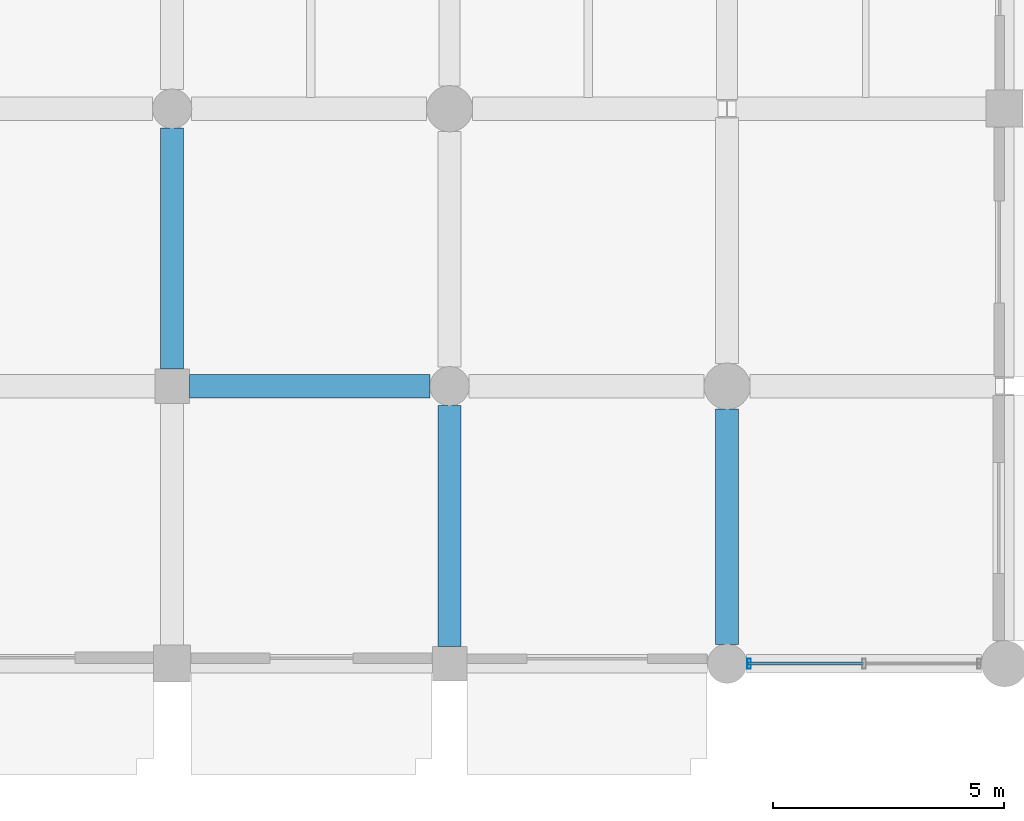
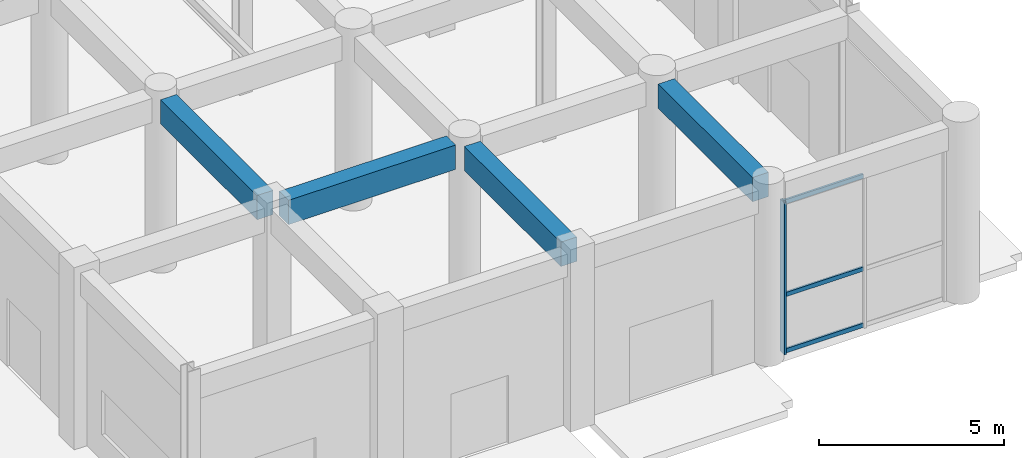
# One storey, part 53 of 106: 4 beams, 4 members, 1 element without a shape of its own.
"""IFC4 building model written with IfcOpenShell, lengths in metres."""

from ifc_helpers import new_model, si_unit, direction, frame, origin, origin_2d, place, context, subcontext, project, spatial, rectangle, hollow_rectangle, extrude, material, material_profile, profile_set, type_object, element, aggregate, save


model = new_model("IFC4")

# Units and contexts
model_context = context("Model", 3, precision=1e-05, world=origin(), true_north=direction((0.0, 1.0)))
body_context = subcontext(model_context, "Body", "Model", "MODEL_VIEW")
ifc_project = project(units=[si_unit("LENGTHUNIT", "METRE"), si_unit("AREAUNIT", "SQUARE_METRE"), si_unit("VOLUMEUNIT", "CUBIC_METRE"), si_unit("PLANEANGLEUNIT", "RADIAN"), si_unit("MASSUNIT", "GRAM", prefix="KILO"), si_unit("THERMODYNAMICTEMPERATUREUNIT", "KELVIN"), si_unit("POWERUNIT", "WATT")], contexts=[model_context])

# Site, building, storey
site_placement = place(None, origin())
site = spatial("IfcSite", under=ifc_project, at=site_placement, CompositionType="ELEMENT")
building_placement = place(site_placement, origin())
building = spatial("IfcBuilding", under=site, at=building_placement, Name="Phaisarnlok Congress Hotel", CompositionType="ELEMENT")
storey_placement = place(building_placement, origin())
storey = spatial("IfcBuildingStorey", under=building, at=storey_placement, Name="L00", CompositionType="ELEMENT", Elevation=0.0)

# Beams
ifc_material_1 = material(Name="Concrete C40/50", Category="concrete")
ifc_material_profile_1 = material_profile(ifc_material_1, rectangle(XDim=0.5, YDim=0.800048828125, at=origin_2d()), Name="RC 500x800")
ifc_profile_set_1 = profile_set([ifc_material_profile_1], Name="Concrete C40/50")
beam_type = type_object("IfcBeamType", Name="BM-RC-500x800", PredefinedType="BEAM", material=ifc_profile_set_1)
for number, where, z_axis, x_axis, name in (
    (1, (162.3701171875, 24.0, 5.360107421875), (1.0, 0.0, 0.0), (0.0, 1.0, 0.0), "Beam B-04"),
    (2, (162.0, 24.3701171875, 5.360107421875), (0.0, 1.0, 0.0), (-1.0, 0.0, 0.0), "Beam B-04"),
    (3, (168.0, 18.3701171875, 5.360107421875), (0.0, 1.0, 0.0), (-1.0, 0.0, 0.0), "Beam B-04"),
):
    element("IfcBeam", number, at=place(storey_placement, frame(where, z_axis=z_axis, x_axis=x_axis)), inside=storey, type_object=beam_type, Name=name, PredefinedType="BEAM", context=body_context, shape_type="SweptSolid", body=[
        extrude(rectangle(XDim=0.5, YDim=0.800048828125, at=origin_2d()), origin(), (0.0, 0.0, 1.0), 5.2099609375),
    ])
beam_placement = place(storey_placement, frame((174.0, 18.419921875, 5.360107421875), z_axis=(0.0, 1.0, 0.0), x_axis=(-1.0, 0.0, 0.0)))
element("IfcBeam", 4, at=beam_placement, inside=storey, type_object=beam_type, Name="Beam B-04", PredefinedType="BEAM", context=body_context, shape_type="SweptSolid", body=[
    extrude(rectangle(XDim=0.5, YDim=0.800048828125, at=origin_2d()), origin(), (0.0, 0.0, 1.0), 5.0849609375),
])

# Curtain wall, members
ifc_material_2 = material(Name="Thermally Broken Unitised Aluminium & Low-E Glazing", Category="aluminium")
curtain_wall_type = type_object("IfcCurtainWallType", Name="CW-UNIT-01", PredefinedType="NOTDEFINED", material=ifc_material_2)
curtain_wall_placement = place(storey_placement, origin())
curtain_wall = element("IfcCurtainWall", 5, at=curtain_wall_placement, inside=storey, type_object=curtain_wall_type, Name="Unitised curtain wall CW-01 (L00)", PredefinedType="NOTDEFINED")
ifc_material_3 = material(Name="Anodised Aluminium Alloy 6063-T6", Category="aluminium")
ifc_material_profile_2 = material_profile(ifc_material_3, hollow_rectangle(XDim=0.074951171875, YDim=0.219970703125, WallThickness=0.0048828125, at=origin_2d()), Name="ALU-M 75x220x5")
ifc_profile_set_2 = profile_set([ifc_material_profile_2], Name="Anodised Aluminium Alloy 6063-T6")
member_type_1 = type_object("IfcMemberType", Name="CWM-220", PredefinedType="MULLION", material=ifc_profile_set_2)
member_1_placement = place(storey_placement, frame((174.47509765625, 18.0, 0.0), z_axis=(0.0, 0.0, 1.0), x_axis=(1.0, 0.0, 0.0)))
member_1 = element("IfcMember", 6, at=member_1_placement, type_object=member_type_1, Name="Curtain wall mullion CWM-02", PredefinedType="MULLION", context=body_context, shape_type="SweptSolid", body=[
    extrude(hollow_rectangle(XDim=0.074951171875, YDim=0.219970703125, WallThickness=0.0048828125, at=origin_2d()), origin(), (0.0, 0.0, 1.0), 5.010009765625),
])
ifc_material_profile_3 = material_profile(ifc_material_3, hollow_rectangle(XDim=0.06494140625, YDim=0.139892578125, WallThickness=0.00390625, at=origin_2d()), Name="ALU-T 65x140x4")
ifc_profile_set_3 = profile_set([ifc_material_profile_3], Name="Anodised Aluminium Alloy 6063-T6")
member_type_2 = type_object("IfcMemberType", Name="CWT-150", PredefinedType="USERDEFINED", material=ifc_profile_set_3)
member_2_placement = place(storey_placement, frame((174.449951171875, 18.0, 0.050048828125), z_axis=(1.0, 0.0, 0.0), x_axis=(0.0, 1.0, 0.0)))
member_2 = element("IfcMember", 7, at=member_2_placement, type_object=member_type_2, Name="Curtain wall transom CWT-01", ObjectType="TRANSOM", PredefinedType="USERDEFINED", context=body_context, shape_type="SweptSolid", body=[
    extrude(hollow_rectangle(XDim=0.06494140625, YDim=0.139892578125, WallThickness=0.00390625, at=origin_2d()), origin(), (0.0, 0.0, 1.0), 2.49755859375),
])
member_3_placement = place(storey_placement, frame((174.449951171875, 18.0, 1.90380859375), z_axis=(1.0, 0.0, 0.0), x_axis=(0.0, 1.0, 0.0)))
member_3 = element("IfcMember", 8, at=member_3_placement, type_object=member_type_2, Name="Curtain wall transom CWT-01", ObjectType="TRANSOM", PredefinedType="USERDEFINED", context=body_context, shape_type="SweptSolid", body=[
    extrude(hollow_rectangle(XDim=0.06494140625, YDim=0.139892578125, WallThickness=0.00390625, at=origin_2d()), origin(), (0.0, 0.0, 1.0), 2.49755859375),
])
member_4_placement = place(storey_placement, frame((174.449951171875, 18.0, 4.9599609375), z_axis=(1.0, 0.0, 0.0), x_axis=(0.0, 1.0, 0.0)))
member_4 = element("IfcMember", 9, at=member_4_placement, type_object=member_type_2, Name="Curtain wall transom CWT-01", ObjectType="TRANSOM", PredefinedType="USERDEFINED", context=body_context, shape_type="SweptSolid", body=[
    extrude(hollow_rectangle(XDim=0.06494140625, YDim=0.139892578125, WallThickness=0.00390625, at=origin_2d()), origin(), (0.0, 0.0, 1.0), 2.49755859375),
])
aggregate(curtain_wall, [member_1, member_2, member_3, member_4])

save(model, "model.ifc")
